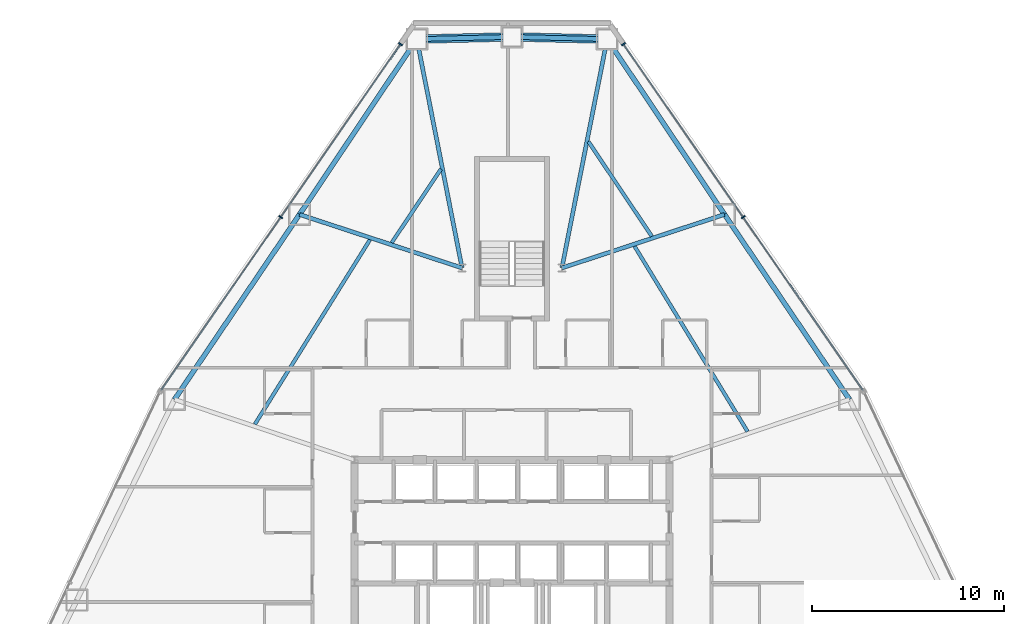
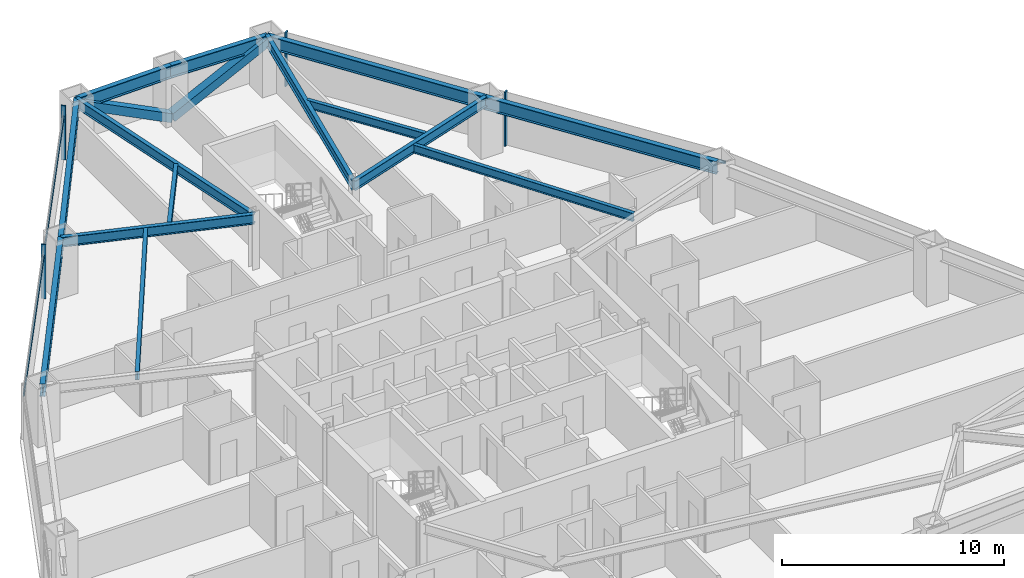
# One storey, part 7 of 13: 14 beams, 8 members, 2 elements without a shape of their own.
"""IFC4 building model written with IfcOpenShell, lengths in metres."""

from ifc_helpers import new_model, si_unit, direction, frame, origin, origin_2d, place, context, subcontext, project, spatial, rectangle, hollow_rectangle, i_section, extrude, source, transform, mapped, material, layer, layer_set, material_profile, profile_set, type_object, type_shapes, element, aggregate, save


model = new_model("IFC4")

# Units and contexts
model_context = context("Model", 3, precision=1e-05, world=origin(), true_north=direction((0.0, 1.0)))
body_context = subcontext(model_context, "Body", "Model", "MODEL_VIEW")
ifc_project = project(units=[si_unit("LENGTHUNIT", "METRE"), si_unit("AREAUNIT", "SQUARE_METRE"), si_unit("VOLUMEUNIT", "CUBIC_METRE"), si_unit("PLANEANGLEUNIT", "RADIAN"), si_unit("MASSUNIT", "GRAM", prefix="KILO")], contexts=[model_context])

# Site, building, storey
site_placement = place(None, origin())
site = spatial("IfcSite", under=ifc_project, at=site_placement, CompositionType="ELEMENT")
building_placement = place(site_placement, origin())
building = spatial("IfcBuilding", under=site, at=building_placement, Name="Varakhsha Concourse Tower", CompositionType="ELEMENT")
storey_placement = place(building_placement, frame((0.0, 0.0, 49.60009765625)))
storey = spatial("IfcBuildingStorey", under=building, at=storey_placement, Name="L13", CompositionType="ELEMENT", Elevation=49.60009765625)

# Beams
ifc_material_1 = material(Name="Structural Steel ASTM A992 Grade 50", Category="steel")
ifc_material_profile_1 = material_profile(ifc_material_1, i_section(OverallWidth=0.19091796875, OverallDepth=0.45703125, WebThickness=0.009033203125, FlangeThickness=0.013916015625, at=origin_2d()), Name="W18X50")
ifc_profile_set_1 = profile_set([ifc_material_profile_1], Name="Structural Steel ASTM A992 Grade 50")
beam_type_1 = type_object("IfcBeamType", Name="BM-JST-W18X50", PredefinedType="JOIST", material=ifc_profile_set_1)
beam_1_placement = place(storey_placement, frame((36.301513671875, 46.353271484375, 2.75146484375), z_axis=(-0.556139741042, -0.831088796961, 0.0), x_axis=(0.831088796961, -0.556139741042, 0.0)))
element("IfcBeam", 1, at=beam_1_placement, inside=storey, type_object=beam_type_1, Name="BM-TJST-L13-03", PredefinedType="JOIST", context=body_context, shape_type="SweptSolid", body=[
    extrude(i_section(OverallWidth=0.19091796875, OverallDepth=0.45703125, WebThickness=0.009033203125, FlangeThickness=0.013916015625, at=origin_2d()), origin(), (0.0, 0.0, 1.0), 4.615478515625),
])
beam_2_placement = place(storey_placement, frame((32.598876953125, 42.666748046875, 2.75146484375), z_axis=(-0.529264354288, -0.84845697786, 0.0), x_axis=(0.84845697786, -0.529264354288, 0.0)))
element("IfcBeam", 2, at=beam_2_placement, inside=storey, type_object=beam_type_1, Name="BM-TJST-L13-04", PredefinedType="JOIST", context=body_context, shape_type="SweptSolid", body=[
    extrude(i_section(OverallWidth=0.19091796875, OverallDepth=0.45703125, WebThickness=0.009033203125, FlangeThickness=0.013916015625, at=origin_2d()), origin(), (0.0, 0.0, 1.0), 11.325439453125),
])
beam_3_placement = place(storey_placement, frame((52.2705078125, 32.68017578125, 2.75146484375), z_axis=(-0.520709938116, 0.853733658905, 0.0), x_axis=(-0.853733658905, -0.520709938116, 0.0)))
element("IfcBeam", 3, at=beam_3_placement, inside=storey, type_object=beam_type_1, Name="BM-TJST-L13-17", PredefinedType="JOIST", context=body_context, shape_type="SweptSolid", body=[
    extrude(i_section(OverallWidth=0.19091796875, OverallDepth=0.45703125, WebThickness=0.009033203125, FlangeThickness=0.013916015625, at=origin_2d()), origin(), (0.0, 0.0, 1.0), 11.30517578125),
])
beam_4_placement = place(storey_placement, frame((47.28173828125, 42.8515625, 2.75146484375), z_axis=(-0.556123442596, 0.831099703161, 0.0), x_axis=(-0.831099703161, -0.556123442596, 0.0)))
element("IfcBeam", 4, at=beam_4_placement, inside=storey, type_object=beam_type_1, Name="BM-TJST-L13-18", PredefinedType="JOIST", context=body_context, shape_type="SweptSolid", body=[
    extrude(i_section(OverallWidth=0.19091796875, OverallDepth=0.45703125, WebThickness=0.009033203125, FlangeThickness=0.013916015625, at=origin_2d()), origin(), (0.0, 0.0, 1.0), 5.9345703125),
])
ifc_material_profile_2 = material_profile(ifc_material_1, i_section(OverallWidth=0.2109375, OverallDepth=0.5390625, WebThickness=0.011962890625, FlangeThickness=0.01904296875, at=origin_2d()), Name="W21X73")
ifc_profile_set_2 = profile_set([ifc_material_profile_2], Name="Structural Steel ASTM A992 Grade 50")
beam_type_2 = type_object("IfcBeamType", Name="BM-RAD-W21X73", PredefinedType="BEAM", material=ifc_profile_set_2)
for number, where, z_axis, x_axis, name in (
    (5, (42.60009765625, 41.199951171875, 2.71044921875), (0.194017518597, 0.980998064462, 0.0), (-0.980998064462, 0.194017518597, 0.0), "L13 Radial Floor Girder 01"),
    (6, (37.39990234375, 41.199951171875, 2.71044921875), (-0.194017518597, 0.980998064462, 0.0), (-0.980998064462, -0.194017518597, 0.0), "L13 Radial Floor Girder 03"),
):
    element("IfcBeam", number, at=place(storey_placement, frame(where, z_axis=z_axis, x_axis=x_axis)), inside=storey, type_object=beam_type_2, Name=name, PredefinedType="BEAM", context=body_context, shape_type="SweptSolid", body=[
        extrude(i_section(OverallWidth=0.2109375, OverallDepth=0.5390625, WebThickness=0.011962890625, FlangeThickness=0.01904296875, at=origin_2d()), origin(), (0.0, 0.0, 1.0), 12.150634765625),
    ])
for number, where, z_axis, x_axis, name in (
    (7, (37.39990234375, 41.199951171875, 2.71044921875), (-0.949919158928, 0.312495746373, 0.0), (-0.312495746373, -0.949919158928, 0.0), "L13 Radial Floor Girder 04"),
    (8, (42.60009765625, 41.199951171875, 2.71044921875), (0.949919158928, 0.312495746373, 0.0), (-0.312495746373, 0.949919158928, 0.0), "L13 Radial Floor Girder 18"),
):
    element("IfcBeam", number, at=place(storey_placement, frame(where, z_axis=z_axis, x_axis=x_axis)), inside=storey, type_object=beam_type_2, Name=name, PredefinedType="BEAM", context=body_context, shape_type="SweptSolid", body=[
        extrude(i_section(OverallWidth=0.2109375, OverallDepth=0.5390625, WebThickness=0.011962890625, FlangeThickness=0.01904296875, at=origin_2d()), origin(), (0.0, 0.0, 1.0), 8.915771484375),
    ])
ifc_material_profile_3 = material_profile(ifc_material_1, i_section(OverallWidth=0.25390625, OverallDepth=0.701904296875, WebThickness=0.014892578125, FlangeThickness=0.028076171875, at=origin_2d()), Name="W27X129")
ifc_profile_set_3 = profile_set([ifc_material_profile_3], Name="Structural Steel ASTM A992 Grade 50")
beam_type_3 = type_object("IfcBeamType", Name="BM-SPAN-W27X129", PredefinedType="SPANDREL", material=ifc_profile_set_3)
for number, where, z_axis, x_axis, name in (
    (9, (44.95751953125, 53.11962890625, 2.62890625), (-0.999719567284, 0.023680937253, 0.0), (-0.023680937253, -0.999719567284, 0.0), "BM-SPAN-L13-01"),
    (10, (40.0, 53.237060546875, 2.62890625), (-0.999719567284, -0.023680937253, 0.0), (0.023680937253, -0.999719567284, 0.0), "BM-SPAN-L13-02"),
):
    element("IfcBeam", number, at=place(storey_placement, frame(where, z_axis=z_axis, x_axis=x_axis)), inside=storey, type_object=beam_type_3, Name=name, PredefinedType="SPANDREL", context=body_context, shape_type="SweptSolid", body=[
        extrude(i_section(OverallWidth=0.25390625, OverallDepth=0.701904296875, WebThickness=0.014892578125, FlangeThickness=0.028076171875, at=origin_2d()), origin(), (0.0, 0.0, 1.0), 4.958984375),
    ])
beam_5_placement = place(storey_placement, frame((35.04248046875, 53.11962890625, 2.62890625), z_axis=(-0.556134813148, -0.831092094539, 0.0), x_axis=(0.831092094539, -0.556134813148, 0.0)))
element("IfcBeam", 11, at=beam_5_placement, inside=storey, type_object=beam_type_3, Name="BM-SPAN-L13-03", PredefinedType="SPANDREL", context=body_context, shape_type="SweptSolid", body=[
    extrude(i_section(OverallWidth=0.25390625, OverallDepth=0.701904296875, WebThickness=0.014892578125, FlangeThickness=0.028076171875, at=origin_2d()), origin(), (0.0, 0.0, 1.0), 10.98974609375),
])
for number, where, z_axis, x_axis, name in (
    (12, (28.9306640625, 43.986083984375, 2.62890625), (-0.559921293573, -0.828545801392, 0.0), (0.828545801392, -0.559921293573, 0.0), "BM-SPAN-L13-04"),
    (13, (57.5810546875, 34.350341796875, 2.62890625), (-0.559921293573, 0.828545801392, 0.0), (-0.828545801392, -0.559921293573, 0.0), "BM-SPAN-L13-17"),
):
    element("IfcBeam", number, at=place(storey_placement, frame(where, z_axis=z_axis, x_axis=x_axis)), inside=storey, type_object=beam_type_3, Name=name, PredefinedType="SPANDREL", context=body_context, shape_type="SweptSolid", body=[
        extrude(i_section(OverallWidth=0.25390625, OverallDepth=0.701904296875, WebThickness=0.014892578125, FlangeThickness=0.028076171875, at=origin_2d()), origin(), (0.0, 0.0, 1.0), 11.629638671875),
    ])
beam_6_placement = place(storey_placement, frame((51.0693359375, 43.986083984375, 2.62890625), z_axis=(-0.556134813148, 0.831092094539, 0.0), x_axis=(-0.831092094539, -0.556134813148, 0.0)))
element("IfcBeam", 14, at=beam_6_placement, inside=storey, type_object=beam_type_3, Name="BM-SPAN-L13-18", PredefinedType="SPANDREL", context=body_context, shape_type="SweptSolid", body=[
    extrude(i_section(OverallWidth=0.25390625, OverallDepth=0.701904296875, WebThickness=0.014892578125, FlangeThickness=0.028076171875, at=origin_2d()), origin(), (0.0, 0.0, 1.0), 10.98974609375),
])

# Members
ifc_material_2 = material(Name="Structural Steel ASTM A500 Grade C", Category="steel")
ifc_material_profile_4 = material_profile(ifc_material_2, hollow_rectangle(XDim=0.449951171875, YDim=0.449951171875, WallThickness=0.01904296875, at=origin_2d()), Name="HSS 450x450x19")
ifc_profile_set_4 = profile_set([ifc_material_profile_4], Name="Structural Steel ASTM A500 Grade C")
member_type_1 = type_object("IfcMemberType", Name="MB-TUBE-HSS450", PredefinedType="BRACE", material=ifc_profile_set_4)
shared_shape_1 = source(origin(), body_context, "Body", "SweptSolid", [
    extrude(hollow_rectangle(XDim=0.449951171875, YDim=0.449951171875, WallThickness=0.01904296875, at=origin_2d()), origin(), (0.0, 0.0, 1.0), 5.580810546875),
])
type_shapes(member_type_1, [shared_shape_1])
for number, where, z_axis, x_axis, name in (
    (15, (40.0, 53.237060546875, 0.119873046875), (0.88832610947, -0.021042295807, 0.458730797986), (0.023680937253, 0.999719567284, 0.0), "L13 Wind-Corner Tube Brace B01"),
    (16, (40.0, 53.237060546875, 0.119873046875), (-0.88832610947, -0.021042295807, 0.458730797986), (0.023680937253, -0.999719567284, 0.0), "L13 Wind-Corner Tube Brace B02"),
):
    element("IfcMember", number, at=place(storey_placement, frame(where, z_axis=z_axis, x_axis=x_axis)), inside=storey, type_object=member_type_1, Name=name, PredefinedType="BRACE", context=body_context, shape_type="MappedRepresentation", body=[
        mapped(shared_shape_1, transform((0.0, 0.0, 0.0), scale=1.0)),
    ])

# Curtain wall, members
ifc_material_3 = material(Name="Anodised Bronze Architectural Aluminium AA 6063-T6", Category="aluminium")
ifc_layer = layer(ifc_material_3, 0.219970703125, Name="CW-SYS-02")
ifc_layer_set = layer_set([ifc_layer], Name="Anodised Bronze Architectural Aluminium AA 6063-T6")
curtain_wall_type = type_object("IfcCurtainWallType", Name="CW-SYS-02", PredefinedType="NOTDEFINED", material=ifc_layer_set)
curtain_wall_1_placement = place(storey_placement, origin())
curtain_wall_1 = element("IfcCurtainWall", 17, at=curtain_wall_1_placement, inside=storey, type_object=curtain_wall_type, Name="L13 Crystal Curtain Wall F2", PredefinedType="NOTDEFINED")
ifc_material_profile_5 = material_profile(ifc_material_3, rectangle(XDim=0.074951171875, YDim=0.219970703125, at=origin_2d()), Name="CWM-220X75")
ifc_profile_set_5 = profile_set([ifc_material_profile_5], Name="Anodised Bronze Architectural Aluminium AA 6063-T6")
member_type_2 = type_object("IfcMemberType", Name="CWM-220X75", PredefinedType="MULLION", material=ifc_profile_set_5)
shared_shape_2 = source(origin(), body_context, "Body", "SweptSolid", [
    extrude(rectangle(XDim=0.074951171875, YDim=0.219970703125, at=origin_2d()), origin(), (0.0, 0.0, 1.0), 2.97998046875),
])
type_shapes(member_type_2, [shared_shape_2])
member_1_placement = place(storey_placement, frame((27.957275390625, 43.844482421875, 0.0), z_axis=(0.0, 0.0, 1.0), x_axis=(0.569057091236, 0.822298015877, 0.0)))
member_1 = element("IfcMember", 18, at=member_1_placement, type_object=member_type_2, Name="CW-L13-F2 Mullion 01", PredefinedType="MULLION", context=body_context, shape_type="MappedRepresentation", body=[
    mapped(shared_shape_2, transform((0.0, 0.0, 0.0), scale=1.0)),
])
member_2_placement = place(storey_placement, frame((34.195068359375, 52.8583984375, 0.0), z_axis=(0.0, 0.0, 1.0), x_axis=(0.569057091236, 0.822298015877, 0.0)))
member_2 = element("IfcMember", 19, at=member_2_placement, type_object=member_type_2, Name="CW-L13-F2 Mullion 02", PredefinedType="MULLION", context=body_context, shape_type="MappedRepresentation", body=[
    mapped(shared_shape_2, transform((0.0, 0.0, 0.0), scale=1.0)),
])

curtain_wall_2_placement = place(storey_placement, origin())
curtain_wall_2 = element("IfcCurtainWall", 20, at=curtain_wall_2_placement, inside=storey, type_object=curtain_wall_type, Name="L13 Crystal Curtain Wall F9", PredefinedType="NOTDEFINED")
member_3_placement = place(storey_placement, frame((45.804931640625, 52.8583984375, 0.0), z_axis=(0.0, 0.0, 1.0), x_axis=(0.569057091236, -0.822298015877, 0.0)))
member_3 = element("IfcMember", 21, at=member_3_placement, type_object=member_type_2, Name="CW-L13-F9 Mullion 00", PredefinedType="MULLION", context=body_context, shape_type="MappedRepresentation", body=[
    mapped(shared_shape_2, transform((0.0, 0.0, 0.0), scale=1.0)),
])
member_4_placement = place(storey_placement, frame((52.042724609375, 43.8447265625, 0.0), z_axis=(0.0, 0.0, 1.0), x_axis=(0.569057091236, -0.822298015877, 0.0)))
member_4 = element("IfcMember", 22, at=member_4_placement, type_object=member_type_2, Name="CW-L13-F9 Mullion 01", PredefinedType="MULLION", context=body_context, shape_type="MappedRepresentation", body=[
    mapped(shared_shape_2, transform((0.0, 0.0, 0.0), scale=1.0)),
])

# Member
ifc_material_profile_6 = material_profile(ifc_material_3, rectangle(XDim=0.06494140625, YDim=0.159912109375, at=origin_2d()), Name="CWT-160X65")
ifc_profile_set_6 = profile_set([ifc_material_profile_6], Name="Anodised Bronze Architectural Aluminium AA 6063-T6")
member_type_3 = type_object("IfcMemberType", Name="CWT-160X65", PredefinedType="USERDEFINED", material=ifc_profile_set_6)
shared_shape_3 = source(origin(), body_context, "Body", "SweptSolid", [
    extrude(rectangle(XDim=0.06494140625, YDim=0.159912109375, at=origin_2d()), origin(), (0.0, 0.0, 1.0), 21.923095703125),
])
type_shapes(member_type_3, [shared_shape_3])
member_5_placement = place(storey_placement, frame((21.719482421875, 34.8310546875, 2.329833984375), z_axis=(0.569059407971, 0.822296412615, 0.0), x_axis=(-0.822296412615, 0.569059407971, 0.0)))
member_5 = element("IfcMember", 23, at=member_5_placement, type_object=member_type_3, Name="CW-L13-F2 Transom 01", ObjectType="TRANSOM", PredefinedType="USERDEFINED", context=body_context, shape_type="MappedRepresentation", body=[
    mapped(shared_shape_3, transform((0.0, 0.0, 0.0), scale=1.0)),
])

aggregate(curtain_wall_1, [member_1, member_2, member_5])

member_6_placement = place(storey_placement, frame((45.804931640625, 52.8583984375, 2.329833984375), z_axis=(0.569059407971, -0.822296412615, 0.0), x_axis=(0.822296412615, 0.569059407971, 0.0)))
member_6 = element("IfcMember", 24, at=member_6_placement, type_object=member_type_3, Name="CW-L13-F9 Transom 01", ObjectType="TRANSOM", PredefinedType="USERDEFINED", context=body_context, shape_type="MappedRepresentation", body=[
    mapped(shared_shape_3, transform((0.0, 0.0, 0.0), scale=1.0)),
])

aggregate(curtain_wall_2, [member_3, member_4, member_6])

save(model, "model.ifc")
